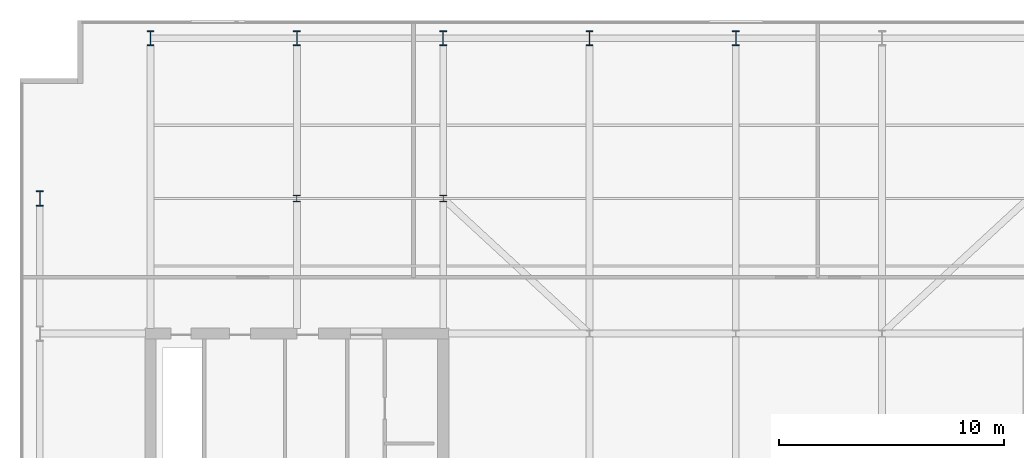
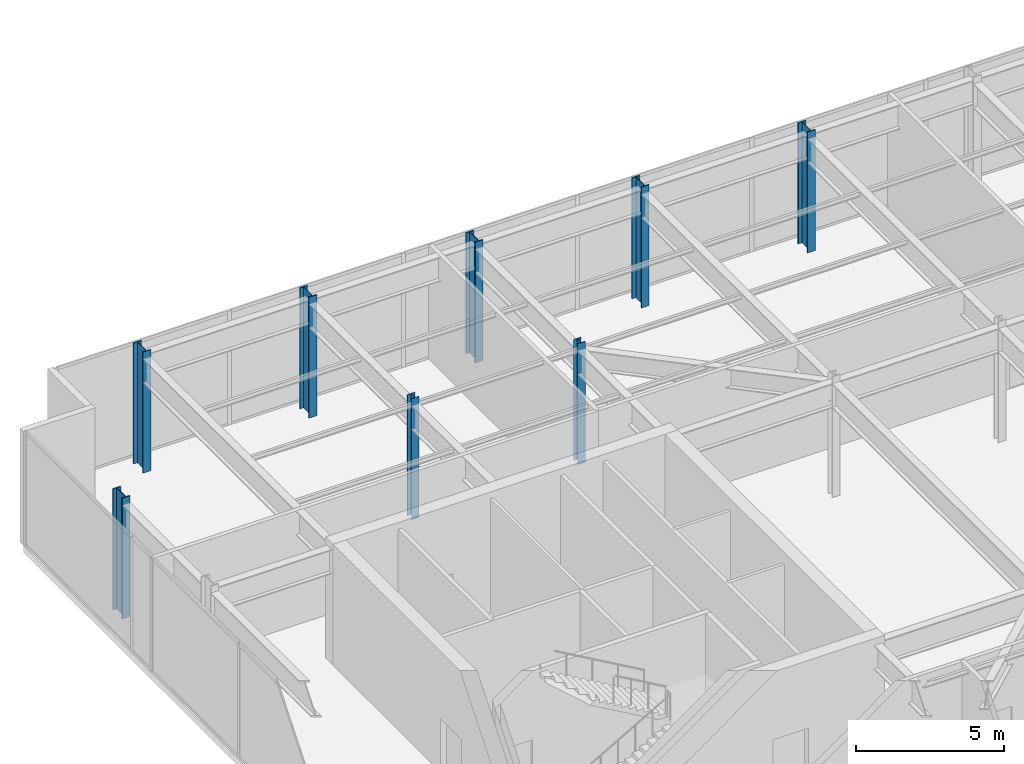
# One storey, part 3 of 23: 8 columns.
"""IFC4 building model written with IfcOpenShell, lengths in metres."""

from ifc_helpers import new_model, si_unit, direction, frame, origin, origin_2d, place, context, subcontext, project, spatial, i_section, extrude, material, material_profile, profile_set, type_object, element, save


model = new_model("IFC4")

# Units and contexts
model_context = context("Model", 3, precision=1e-05, world=origin(), true_north=direction((0.0, 1.0)))
body_context = subcontext(model_context, "Body", "Model", "MODEL_VIEW")
ifc_project = project(units=[si_unit("LENGTHUNIT", "METRE"), si_unit("AREAUNIT", "SQUARE_METRE"), si_unit("VOLUMEUNIT", "CUBIC_METRE"), si_unit("PLANEANGLEUNIT", "RADIAN"), si_unit("MASSUNIT", "GRAM", prefix="KILO")], contexts=[model_context])

# Site, building, storey
site_placement = place(None, origin())
site = spatial("IfcSite", under=ifc_project, at=site_placement, CompositionType="ELEMENT")
building_placement = place(site_placement, origin())
building = spatial("IfcBuilding", under=site, at=building_placement, Name="Putna Gate Headquarters", CompositionType="ELEMENT")
storey_placement = place(building_placement, frame((0.0, 0.0, 310.39990234375)))
storey = spatial("IfcBuildingStorey", under=building, at=storey_placement, Name="L78", CompositionType="ELEMENT", Elevation=310.39990234375)

# Columns
ifc_material = material(Name="Steel S460M", Category="steel")
ifc_material_profile_1 = material_profile(ifc_material, i_section(OverallWidth=0.300048828125, OverallDepth=0.300048828125, WebThickness=0.010986328125, FlangeThickness=0.01904296875, at=origin_2d()), Name="Steel S460M")
ifc_profile_set_1 = profile_set([ifc_material_profile_1], Name="Steel S460M")
column_type_1 = type_object("IfcColumnType", Name="COL-STL-HEB300-CRN", PredefinedType="COLUMN", material=ifc_profile_set_1)
for number, where, z_axis, x_axis, name in (
    (1, (19.5, 39.0, 0.0), (0.0, 0.0, 1.0), (1.0, 0.0, 0.0), "L78 Column CSI-WN"),
    (2, (26.0, 39.0, 0.0), (0.0, 0.0, 1.0), (1.0, 0.0, 0.0), "L78 Column CAP-WN"),
):
    element("IfcColumn", number, at=place(storey_placement, frame(where, z_axis=z_axis, x_axis=x_axis)), inside=storey, type_object=column_type_1, Name=name, PredefinedType="COLUMN", context=body_context, shape_type="SweptSolid", body=[
        extrude(i_section(OverallWidth=0.300048828125, OverallDepth=0.300048828125, WebThickness=0.010986328125, FlangeThickness=0.01904296875, at=origin_2d()), origin(), (0.0, 0.0, 1.0), 5.0),
    ])
ifc_material_profile_2 = material_profile(ifc_material, i_section(OverallWidth=0.304931640625, OverallDepth=0.66796875, WebThickness=0.02099609375, FlangeThickness=0.0400390625, at=origin_2d()), Name="Steel S460M")
ifc_profile_set_2 = profile_set([ifc_material_profile_2], Name="Steel S460M")
column_type_2 = type_object("IfcColumnType", Name="COL-STL-HEM650-EXT", PredefinedType="COLUMN", material=ifc_profile_set_2)
for number, where, z_axis, x_axis, name in (
    (3, (13.0, 46.1201171875, 0.0), (0.0, 0.0, 1.0), (1.0, 0.0, 0.0), "L78 Column CP-N13"),
    (4, (19.5, 46.1201171875, 0.0), (0.0, 0.0, 1.0), (1.0, 0.0, 0.0), "L78 Column CP-N19"),
    (5, (26.0, 46.1201171875, 0.0), (0.0, 0.0, 1.0), (1.0, 0.0, 0.0), "L78 Column CP-N26"),
    (6, (32.5, 46.1201171875, 0.0), (0.0, 0.0, 1.0), (1.0, 0.0, 0.0), "L78 Column CP-N32"),
    (7, (39.0, 46.1201171875, 0.0), (0.0, 0.0, 1.0), (1.0, 0.0, 0.0), "L78 Column CP-N39"),
    (8, (8.080078125, 39.0, 0.0), (0.0, 0.0, 1.0), (1.0, 0.0, 0.0), "L78 Column CP-W39"),
):
    element("IfcColumn", number, at=place(storey_placement, frame(where, z_axis=z_axis, x_axis=x_axis)), inside=storey, type_object=column_type_2, Name=name, PredefinedType="COLUMN", context=body_context, shape_type="SweptSolid", body=[
        extrude(i_section(OverallWidth=0.304931640625, OverallDepth=0.66796875, WebThickness=0.02099609375, FlangeThickness=0.0400390625, at=origin_2d()), origin(), (0.0, 0.0, 1.0), 5.0),
    ])

save(model, "model.ifc")
